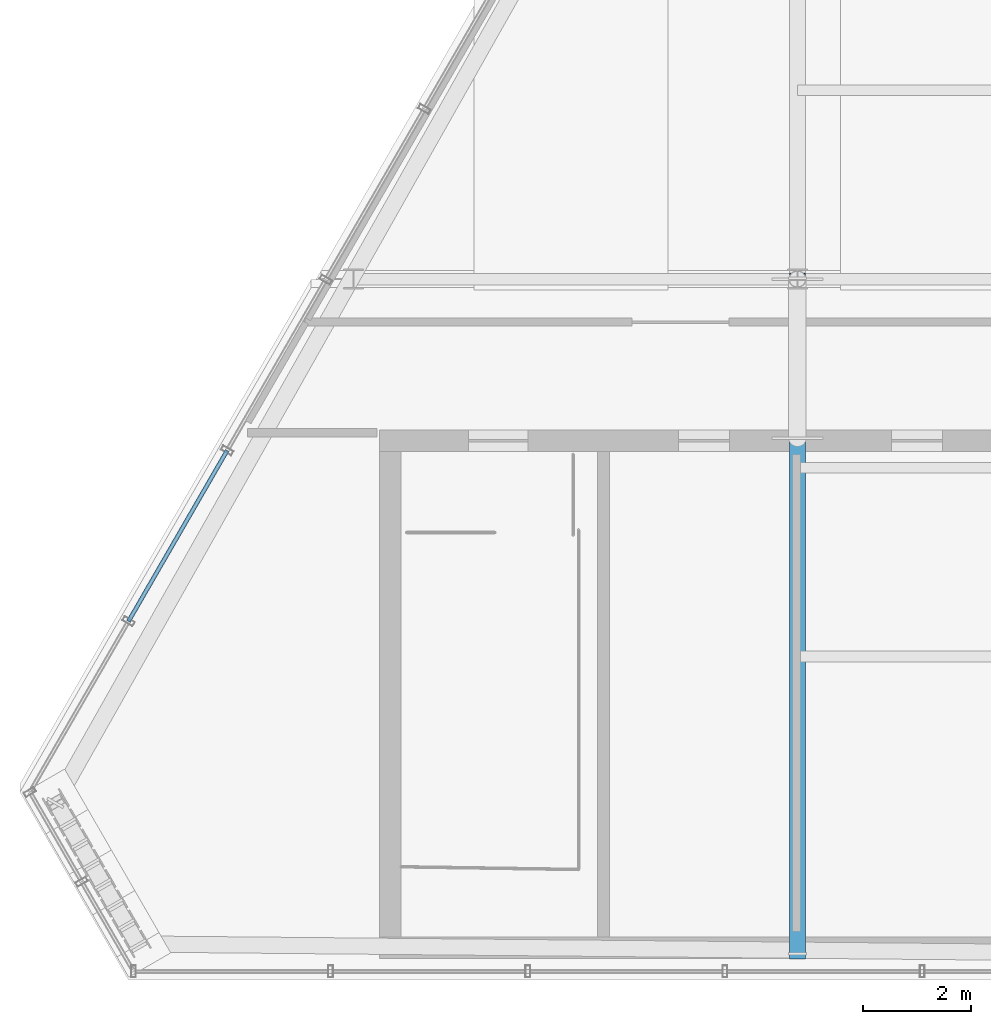
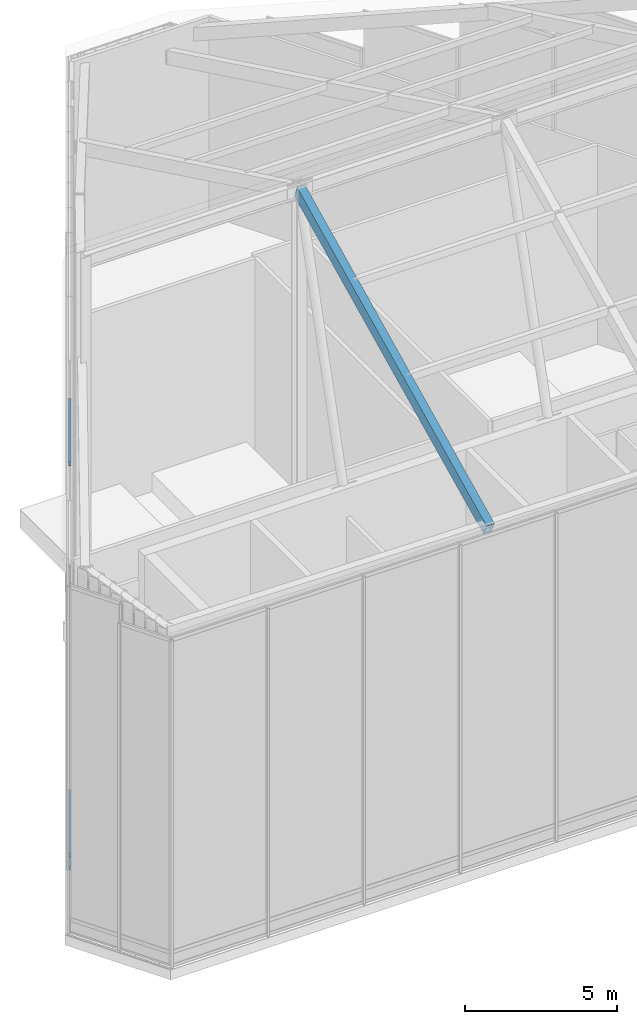
# One storey, part 6 of 36: 4 members, 1 element without a shape of its own.
"""IFC4 building model written with IfcOpenShell, lengths in metres."""

from ifc_helpers import new_model, si_unit, direction, frame, origin, origin_2d, place, context, subcontext, project, spatial, hollow_rectangle, extrude, material, layer, layer_set, material_profile, profile_set, type_object, element, aggregate, save


model = new_model("IFC4")

# Units and contexts
model_context = context("Model", 3, precision=1e-05, world=origin(), true_north=direction((0.0, 1.0)))
body_context = subcontext(model_context, "Body", "Model", "MODEL_VIEW")
ifc_project = project(units=[si_unit("LENGTHUNIT", "METRE"), si_unit("AREAUNIT", "SQUARE_METRE"), si_unit("VOLUMEUNIT", "CUBIC_METRE"), si_unit("PLANEANGLEUNIT", "RADIAN"), si_unit("MASSUNIT", "GRAM", prefix="KILO")], contexts=[model_context])

# Site, building, storey
site_placement = place(None, origin())
site = spatial("IfcSite", under=ifc_project, at=site_placement, CompositionType="ELEMENT")
building_placement = place(site_placement, origin())
building = spatial("IfcBuilding", under=site, at=building_placement, Name="Ndaravel Arena Tower", CompositionType="ELEMENT")
storey_placement = place(building_placement, frame((0.0, 0.0, 308.10009765625)))
storey = spatial("IfcBuildingStorey", under=building, at=storey_placement, Name="Roof Crown", CompositionType="ELEMENT", Elevation=308.10009765625)

# Member
ifc_material_1 = material(Name="Steel S355", Category="steel")
ifc_material_profile_1 = material_profile(ifc_material_1, hollow_rectangle(XDim=0.300048828125, YDim=0.5, WallThickness=0.02001953125, at=origin_2d()), Name="RHS 500x300x20")
ifc_profile_set_1 = profile_set([ifc_material_profile_1], Name="Steel S355")
member_type_1 = type_object("IfcMemberType", Name="MEM-CRN-RAFTER", PredefinedType="RAFTER", material=ifc_profile_set_1)
member_1_placement = place(storey_placement, frame((34.199951171875, 5.5, 13.11376953125), z_axis=(0.0, 0.900208834512, 0.435458441491), x_axis=(-1.0, 0.0, 0.0)))
element("IfcMember", 1, at=member_1_placement, inside=storey, type_object=member_type_1, Name="Crown South Sloped Rafter CSR-1", PredefinedType="RAFTER", context=body_context, shape_type="SweptSolid", body=[
    extrude(hollow_rectangle(XDim=0.300048828125, YDim=0.5, WallThickness=0.02001953125, at=origin_2d()), origin(), (0.0, 0.0, 1.0), 13.8857421875),
])

# Curtain wall, members
ifc_material_2 = material(Name="Aluminium", Category="aluminium")
ifc_layer = layer(ifc_material_2, 0.179931640625)
ifc_layer_set = layer_set([ifc_layer], Name="Aluminium")
curtain_wall_type = type_object("IfcCurtainWallType", Name="CW-SYS-06", PredefinedType="NOTDEFINED", material=ifc_layer_set)
curtain_wall_placement = place(storey_placement, origin())
curtain_wall = element("IfcCurtainWall", 2, at=curtain_wall_placement, inside=storey, type_object=curtain_wall_type, Name="Roof Crown Sloped Crown Lantern Curtain Wall CW-CROWN-E05-S10", PredefinedType="NOTDEFINED")
ifc_material_3 = material(Name="Aluminium", Category="aluminium")
ifc_material_profile_2 = material_profile(ifc_material_3, hollow_rectangle(XDim=0.074951171875, YDim=0.14990234375, WallThickness=0.00390625, at=origin_2d()), Name="CW TRANSOM 75x150x4")
ifc_profile_set_2 = profile_set([ifc_material_profile_2], Name="Aluminium")
member_type_2 = type_object("IfcMemberType", Name="MEM-CW-TRN150", PredefinedType="USERDEFINED", material=ifc_profile_set_2)
member_2_placement = place(storey_placement, frame((23.62255859375, 14.81982421875, 0.039794921875), z_axis=(-0.500051814536, -0.865995486581, 0.0), x_axis=(0.865995486581, -0.500051814536, 0.0)))
member_2 = element("IfcMember", 3, at=member_2_placement, type_object=member_type_2, Name="CW-CROWN-E05-S10 Transom 01", ObjectType="TRANSOM", PredefinedType="USERDEFINED", context=body_context, shape_type="SweptSolid", body=[
    extrude(hollow_rectangle(XDim=0.074951171875, YDim=0.14990234375, WallThickness=0.00390625, at=origin_2d()), origin(), (0.0, 0.0, 1.0), 3.6572265625),
])
member_3_placement = place(storey_placement, frame((23.62255859375, 14.81982421875, 0.599853515625), z_axis=(-0.500051814536, -0.865995486581, 0.0), x_axis=(0.865995486581, -0.500051814536, 0.0)))
member_3 = element("IfcMember", 4, at=member_3_placement, type_object=member_type_2, Name="CW-CROWN-E05-S10 Transom 02", ObjectType="TRANSOM", PredefinedType="USERDEFINED", context=body_context, shape_type="SweptSolid", body=[
    extrude(hollow_rectangle(XDim=0.074951171875, YDim=0.14990234375, WallThickness=0.00390625, at=origin_2d()), origin(), (0.0, 0.0, 1.0), 3.6572265625),
])
member_4_placement = place(storey_placement, frame((23.62255859375, 14.81982421875, 16.334716796875), z_axis=(-0.500051814536, -0.865995486581, 0.0), x_axis=(0.865995486581, -0.500051814536, 0.0)))
member_4 = element("IfcMember", 5, at=member_4_placement, type_object=member_type_2, Name="CW-CROWN-E05-S10 Transom 03", ObjectType="TRANSOM", PredefinedType="USERDEFINED", context=body_context, shape_type="SweptSolid", body=[
    extrude(hollow_rectangle(XDim=0.074951171875, YDim=0.14990234375, WallThickness=0.00390625, at=origin_2d()), origin(), (0.0, 0.0, 1.0), 3.6572265625),
])
aggregate(curtain_wall, [member_2, member_3, member_4])

save(model, "model.ifc")
